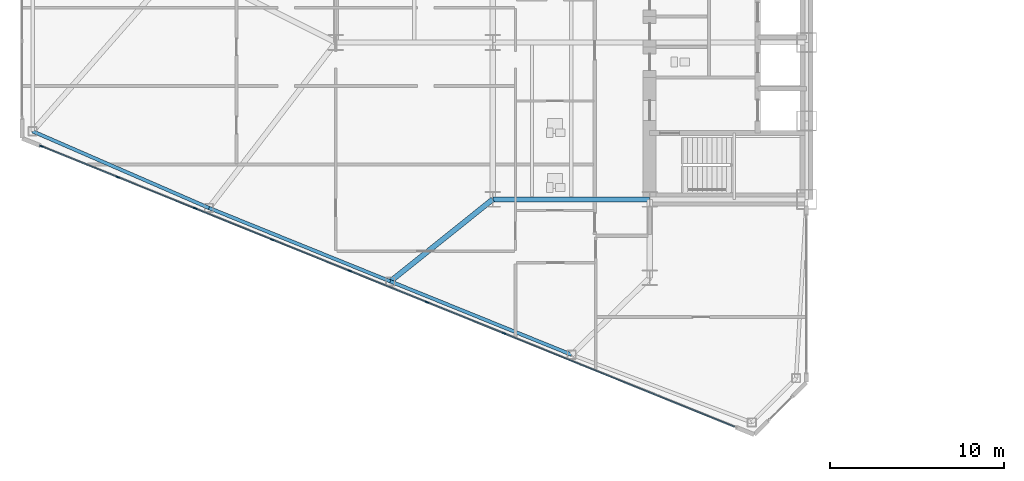
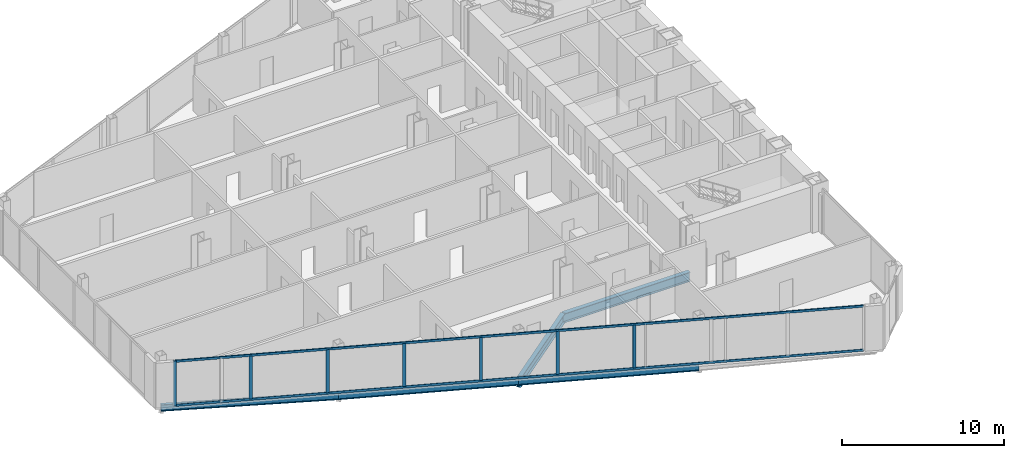
# One storey, part 3 of 25: 9 members, 5 beams, 1 element without a shape of its own.
"""IFC4 building model written with IfcOpenShell, lengths in metres."""

from ifc_helpers import new_model, si_unit, direction, frame, origin, origin_2d, place, context, subcontext, project, spatial, rectangle, i_section, extrude, source, transform, mapped, material, layer, layer_set, material_profile, profile_set, type_object, type_shapes, element, aggregate, save


model = new_model("IFC4")

# Units and contexts
model_context = context("Model", 3, precision=1e-05, world=origin(), true_north=direction((0.0, 1.0)))
body_context = subcontext(model_context, "Body", "Model", "MODEL_VIEW")
ifc_project = project(units=[si_unit("LENGTHUNIT", "METRE"), si_unit("AREAUNIT", "SQUARE_METRE"), si_unit("VOLUMEUNIT", "CUBIC_METRE"), si_unit("PLANEANGLEUNIT", "RADIAN"), si_unit("MASSUNIT", "GRAM", prefix="KILO")], contexts=[model_context])

# Site, building, storey
site_placement = place(None, origin())
site = spatial("IfcSite", under=ifc_project, at=site_placement, CompositionType="ELEMENT")
building_placement = place(site_placement, origin())
building = spatial("IfcBuilding", under=site, at=building_placement, Name="Seokmaru Belvedere", CompositionType="ELEMENT")
storey_placement = place(building_placement, frame((0.0, 0.0, 33.300048828125)))
storey = spatial("IfcBuildingStorey", under=building, at=storey_placement, Name="L08", CompositionType="ELEMENT", Elevation=33.300048828125)

# Beams
ifc_material_1 = material(Name="Steel SM355 (355 MPa)", Category="steel")
ifc_material_profile_1 = material_profile(ifc_material_1, i_section(OverallWidth=0.300048828125, OverallDepth=0.699951171875, WebThickness=0.012939453125, FlangeThickness=0.02392578125, at=origin_2d()), Name="H-700x300x13x24")
ifc_profile_set_1 = profile_set([ifc_material_profile_1], Name="Steel SM355 (355 MPa)")
beam_type_1 = type_object("IfcBeamType", Name="Primary Floor Girder H-700", PredefinedType="BEAM", material=ifc_profile_set_1)
shared_shape_1 = source(origin(), body_context, "Body", "SweptSolid", [
    extrude(i_section(OverallWidth=0.300048828125, OverallDepth=0.699951171875, WebThickness=0.012939453125, FlangeThickness=0.02392578125, at=origin_2d()), origin(), (0.0, 0.0, 1.0), 9.0),
])
beam_1_placement = place(storey_placement, frame((-45.5, -13.5, -0.570068359375), z_axis=(1.0, 0.0, 0.0), x_axis=(0.0, 1.0, 0.0)))
element("IfcBeam", 1, at=beam_1_placement, inside=storey, type_object=beam_type_1, Name="L08 W Wing Primary Girder 1", PredefinedType="BEAM", context=body_context, shape_type="MappedRepresentation", body=[
    mapped(shared_shape_1, transform((0.0, 0.0, 0.0), scale=1.0)),
])
ifc_material_profile_2 = material_profile(ifc_material_1, i_section(OverallWidth=0.199951171875, OverallDepth=0.5, WebThickness=0.010009765625, FlangeThickness=0.01611328125, at=origin_2d()), Name="H-500x200x10x16")
ifc_profile_set_2 = profile_set([ifc_material_profile_2], Name="Steel SM355 (355 MPa)")
beam_type_2 = type_object("IfcBeamType", Name="Perimeter Spandrel Beam H-500", PredefinedType="SPANDREL", material=ifc_profile_set_2)
shared_shape_2 = source(origin(), body_context, "Body", "SweptSolid", [
    extrude(i_section(OverallWidth=0.199951171875, OverallDepth=0.5, WebThickness=0.010009765625, FlangeThickness=0.01611328125, at=origin_2d()), origin(), (0.0, 0.0, 1.0), 11.220703125),
])
for number, where, z_axis, x_axis, name in (
    (2, (-40.977294921875, -22.4140625, -0.469970703125), (-0.926944290816, 0.375198989503, 0.0), (-0.375198989503, -0.926944290816, 0.0), "L08 W Faceted Flank Spandrel S-2"),
    (3, (-51.378173828125, -18.2041015625, -0.469970703125), (-0.926944290816, 0.375198989503, 0.0), (-0.375198989503, -0.926944290816, 0.0), "L08 W Faceted Flank Spandrel S-3"),
):
    element("IfcBeam", number, at=place(storey_placement, frame(where, z_axis=z_axis, x_axis=x_axis)), inside=storey, type_object=beam_type_2, Name=name, PredefinedType="SPANDREL", context=body_context, shape_type="MappedRepresentation", body=[
        mapped(shared_shape_2, transform((0.0, 0.0, 0.0), scale=1.0)),
    ])
shared_shape_3 = source(origin(), body_context, "Body", "SweptSolid", [
    extrude(i_section(OverallWidth=0.199951171875, OverallDepth=0.5, WebThickness=0.010009765625, FlangeThickness=0.01611328125, at=origin_2d()), origin(), (0.0, 0.0, 1.0), 11.035400390625),
])
type_shapes(beam_type_2, [shared_shape_2, shared_shape_3])
beam_2_placement = place(storey_placement, frame((-61.779052734375, -13.994140625, -0.469970703125), z_axis=(-0.917134058682, 0.398578873507, 0.0), x_axis=(-0.398578873507, -0.917134058682, 0.0)))
element("IfcBeam", 4, at=beam_2_placement, inside=storey, type_object=beam_type_2, Name="L08 W Faceted Flank Spandrel S-4", PredefinedType="SPANDREL", context=body_context, shape_type="MappedRepresentation", body=[
    mapped(shared_shape_3, transform((0.0, 0.0, 0.0), scale=1.0)),
])
shared_shape_4 = source(origin(), body_context, "Body", "SweptSolid", [
    extrude(i_section(OverallWidth=0.300048828125, OverallDepth=0.699951171875, WebThickness=0.012939453125, FlangeThickness=0.02392578125, at=origin_2d()), origin(), (0.0, 0.0, 1.0), 7.52880859375),
])
type_shapes(beam_type_1, [shared_shape_1, shared_shape_4])
beam_3_placement = place(storey_placement, frame((-51.378173828125, -18.2041015625, -0.570068359375), z_axis=(0.780767560736, 0.624821587418, 0.0), x_axis=(-0.624821587418, 0.780767560736, 0.0)))
element("IfcBeam", 5, at=beam_3_placement, inside=storey, type_object=beam_type_1, Name="L08 W Flank Radial Floor Girder S-2", PredefinedType="BEAM", context=body_context, shape_type="MappedRepresentation", body=[
    mapped(shared_shape_4, transform((0.0, 0.0, 0.0), scale=1.0)),
])

# Curtain wall, members
ifc_material_2 = material(Name="Bronze Triple Insulating Glass", Category="glass")
ifc_layer = layer(ifc_material_2, 0.2099609375)
ifc_layer_set = layer_set([ifc_layer], Name="Bronze Triple Insulating Glass")
curtain_wall_type = type_object("IfcCurtainWallType", Name="Low-Rise Faceted Crystal Curtain Wall System CW-2", PredefinedType="NOTDEFINED", material=ifc_layer_set)
curtain_wall_placement = place(storey_placement, origin())
curtain_wall = element("IfcCurtainWall", 6, at=curtain_wall_placement, inside=storey, type_object=curtain_wall_type, Name="L08 Curtain Wall WF5", PredefinedType="NOTDEFINED")
ifc_material_3 = material(Name="Anodised Bronze Aluminium", Category="aluminium")
ifc_material_profile_3 = material_profile(ifc_material_3, rectangle(XDim=0.074951171875, YDim=0.2099609375, at=origin_2d()), Name="CW-M-75x210")
ifc_profile_set_3 = profile_set([ifc_material_profile_3], Name="Anodised Bronze Aluminium")
member_type_1 = type_object("IfcMemberType", Name="Bronze Unitised Mullion 75x210", PredefinedType="MULLION", material=ifc_profile_set_3)
shared_shape_5 = source(origin(), body_context, "Body", "SweptSolid", [
    extrude(rectangle(XDim=0.074951171875, YDim=0.2099609375, at=origin_2d()), origin(), (0.0, 0.0, 1.0), 3.239990234375),
])
member_1_placement = place(storey_placement, frame((-67.004150390625, -12.224609375, 0.070068359375), z_axis=(0.0, 0.0, 1.0), x_axis=(0.375192321888, 0.926946989637, 0.0)))
member_1 = element("IfcMember", 7, at=member_1_placement, type_object=member_type_1, Name="CW:L08:WF5 Mullion 2", PredefinedType="MULLION", context=body_context, shape_type="MappedRepresentation", body=[
    mapped(shared_shape_5, transform((0.0, 0.0, 0.0), scale=1.0)),
])
member_2_placement = place(storey_placement, frame((-62.574462890625, -14.017578125, 0.070068359375), z_axis=(0.0, 0.0, 1.0), x_axis=(0.375192321888, 0.926946989637, 0.0)))
member_2 = element("IfcMember", 8, at=member_2_placement, type_object=member_type_1, Name="CW:L08:WF5 Mullion 3", PredefinedType="MULLION", context=body_context, shape_type="MappedRepresentation", body=[
    mapped(shared_shape_5, transform((0.0, 0.0, 0.0), scale=1.0)),
])
member_3_placement = place(storey_placement, frame((-58.144775390625, -15.810546875, 0.070068359375), z_axis=(0.0, 0.0, 1.0), x_axis=(0.375192321888, 0.926946989637, 0.0)))
member_3 = element("IfcMember", 9, at=member_3_placement, type_object=member_type_1, Name="CW:L08:WF5 Mullion 4", PredefinedType="MULLION", context=body_context, shape_type="MappedRepresentation", body=[
    mapped(shared_shape_5, transform((0.0, 0.0, 0.0), scale=1.0)),
])
member_4_placement = place(storey_placement, frame((-53.71484375, -17.603515625, 0.070068359375), z_axis=(0.0, 0.0, 1.0), x_axis=(0.375192321888, 0.926946989637, 0.0)))
member_4 = element("IfcMember", 10, at=member_4_placement, type_object=member_type_1, Name="CW:L08:WF5 Mullion 5", PredefinedType="MULLION", context=body_context, shape_type="MappedRepresentation", body=[
    mapped(shared_shape_5, transform((0.0, 0.0, 0.0), scale=1.0)),
])
member_5_placement = place(storey_placement, frame((-49.28515625, -19.396484375, 0.070068359375), z_axis=(0.0, 0.0, 1.0), x_axis=(0.375192321888, 0.926946989637, 0.0)))
member_5 = element("IfcMember", 11, at=member_5_placement, type_object=member_type_1, Name="CW:L08:WF5 Mullion 6", PredefinedType="MULLION", context=body_context, shape_type="MappedRepresentation", body=[
    mapped(shared_shape_5, transform((0.0, 0.0, 0.0), scale=1.0)),
])
member_6_placement = place(storey_placement, frame((-44.855224609375, -21.189453125, 0.070068359375), z_axis=(0.0, 0.0, 1.0), x_axis=(0.375192321888, 0.926946989637, 0.0)))
member_6 = element("IfcMember", 12, at=member_6_placement, type_object=member_type_1, Name="CW:L08:WF5 Mullion 7", PredefinedType="MULLION", context=body_context, shape_type="MappedRepresentation", body=[
    mapped(shared_shape_5, transform((0.0, 0.0, 0.0), scale=1.0)),
])
ifc_material_profile_4 = material_profile(ifc_material_3, rectangle(XDim=0.070068359375, YDim=0.1650390625, at=origin_2d()), Name="CW-T-70x165")
ifc_profile_set_4 = profile_set([ifc_material_profile_4], Name="Anodised Bronze Aluminium")
member_type_2 = type_object("IfcMemberType", Name="Bronze Unitised Transom 70x165", PredefinedType="USERDEFINED", material=ifc_profile_set_4)
shared_shape_6 = source(origin(), body_context, "Body", "SweptSolid", [
    extrude(rectangle(XDim=0.070068359375, YDim=0.1650390625, at=origin_2d()), origin(), (0.0, 0.0, 1.0), 42.860107421875),
])
type_shapes(member_type_2, [shared_shape_6])
member_7_placement = place(storey_placement, frame((-71.364501953125, -10.459716796875, 0.034912109375), z_axis=(0.926948605599, -0.375188329481, 0.0), x_axis=(0.375188329481, 0.926948605599, 0.0)))
member_7 = element("IfcMember", 13, at=member_7_placement, type_object=member_type_2, Name="CW:L08:WF5 Continuous Transom 1", ObjectType="TRANSOM", PredefinedType="USERDEFINED", context=body_context, shape_type="MappedRepresentation", body=[
    mapped(shared_shape_6, transform((0.0, 0.0, 0.0), scale=1.0)),
])
member_8_placement = place(storey_placement, frame((-71.364501953125, -10.459716796875, 3.344970703125), z_axis=(0.926948605599, -0.375188329481, 0.0), x_axis=(0.375188329481, 0.926948605599, 0.0)))
member_8 = element("IfcMember", 14, at=member_8_placement, type_object=member_type_2, Name="CW:L08:WF5 Continuous Transom 2", ObjectType="TRANSOM", PredefinedType="USERDEFINED", context=body_context, shape_type="MappedRepresentation", body=[
    mapped(shared_shape_6, transform((0.0, 0.0, 0.0), scale=1.0)),
])
shared_shape_7 = source(origin(), body_context, "Body", "SweptSolid", [
    extrude(rectangle(XDim=0.074951171875, YDim=0.2099609375, at=origin_2d()), origin(), (0.0, 0.0, 1.0), 3.3798828125),
])
type_shapes(member_type_1, [shared_shape_5, shared_shape_7])
member_9_placement = place(storey_placement, frame((-71.399169921875, -10.445556640625, 0.0), z_axis=(0.0, 0.0, 1.0), x_axis=(0.375192321888, 0.926946989637, 0.0)))
member_9 = element("IfcMember", 15, at=member_9_placement, type_object=member_type_1, Name="CW:L08:WF5 Mullion 1", PredefinedType="MULLION", context=body_context, shape_type="MappedRepresentation", body=[
    mapped(shared_shape_7, transform((0.0, 0.0, 0.0), scale=1.0)),
])
aggregate(curtain_wall, [member_9, member_1, member_2, member_3, member_4, member_5, member_6, member_7, member_8])

save(model, "model.ifc")
